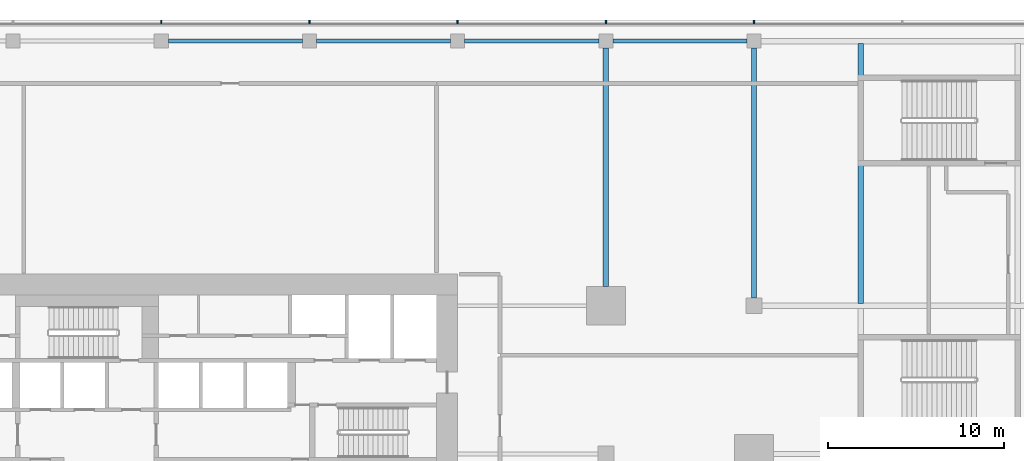
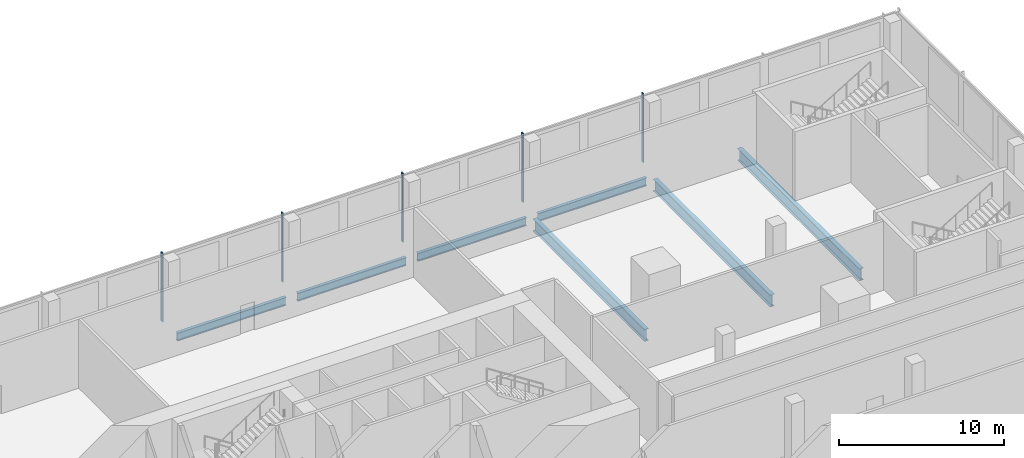
# One storey, part 20 of 39: 7 beams, 5 members, 1 element without a shape of its own.
"""IFC4 building model written with IfcOpenShell, lengths in metres."""

from ifc_helpers import new_model, si_unit, direction, frame, origin, origin_2d, place, context, subcontext, project, spatial, rectangle, i_section, extrude, material, material_profile, profile_set, type_object, element, aggregate, save


model = new_model("IFC4")

# Units and contexts
model_context = context("Model", 3, precision=1e-05, world=origin(), true_north=direction((0.0, 1.0)))
body_context = subcontext(model_context, "Body", "Model", "MODEL_VIEW")
ifc_project = project(units=[si_unit("LENGTHUNIT", "METRE"), si_unit("AREAUNIT", "SQUARE_METRE"), si_unit("VOLUMEUNIT", "CUBIC_METRE"), si_unit("PLANEANGLEUNIT", "RADIAN"), si_unit("MASSUNIT", "GRAM", prefix="KILO")], contexts=[model_context])

# Site, building, storey
site_placement = place(None, origin())
site = spatial("IfcSite", under=ifc_project, at=site_placement, CompositionType="ELEMENT")
building_placement = place(site_placement, origin())
building = spatial("IfcBuilding", under=site, at=building_placement, Name="Saffron Gate Tower", CompositionType="ELEMENT")
storey_placement = place(building_placement, frame((0.0, 0.0, 9.0)))
storey = spatial("IfcBuildingStorey", under=building, at=storey_placement, Name="L01", CompositionType="ELEMENT", Elevation=9.0)

# Beams
ifc_material_1 = material(Name="Structural steel S355", Category="steel")
ifc_material_profile_1 = material_profile(ifc_material_1, i_section(OverallWidth=0.219970703125, OverallDepth=0.60009765625, WebThickness=0.011962890625, FlangeThickness=0.01904296875, FilletRadius=0.02392578125, at=origin_2d()))
ifc_profile_set_1 = profile_set([ifc_material_profile_1], Name="Structural steel S355")
beam_type_1 = type_object("IfcBeamType", Name="B15 IPE 600", PredefinedType="BEAM", material=ifc_profile_set_1)
beam_1_placement = place(storey_placement, frame((92.199951171875, 88.800048828125, -0.60009765625), z_axis=(1.0, 0.0, 0.0), x_axis=(0.0, 1.0, 0.0)))
element("IfcBeam", 1, at=beam_1_placement, inside=storey, type_object=beam_type_1, Name="B15 PODIUM EDGE BEAM", PredefinedType="BEAM", context=body_context, shape_type="SweptSolid", body=[
    extrude(i_section(OverallWidth=0.219970703125, OverallDepth=0.60009765625, WebThickness=0.011962890625, FlangeThickness=0.01904296875, FilletRadius=0.02392578125, at=origin_2d()), origin(), (0.0, 0.0, 1.0), 7.60009765625),
])
beam_2_placement = place(storey_placement, frame((100.60009765625, 88.800048828125, -0.60009765625), z_axis=(1.0, 0.0, 0.0), x_axis=(0.0, 1.0, 0.0)))
element("IfcBeam", 2, at=beam_2_placement, inside=storey, type_object=beam_type_1, Name="B15 PODIUM EDGE BEAM", PredefinedType="BEAM", context=body_context, shape_type="SweptSolid", body=[
    extrude(i_section(OverallWidth=0.219970703125, OverallDepth=0.60009765625, WebThickness=0.011962890625, FlangeThickness=0.01904296875, FilletRadius=0.02392578125, at=origin_2d()), origin(), (0.0, 0.0, 1.0), 7.599853515625),
])
for number, where, z_axis, x_axis, name in (
    (3, (109.0, 88.800048828125, -0.60009765625), (1.0, 0.0, 0.0), (0.0, 1.0, 0.0), "B15 PODIUM EDGE BEAM"),
    (4, (117.39990234375, 88.800048828125, -0.60009765625), (1.0, 0.0, 0.0), (0.0, 1.0, 0.0), "B15 PODIUM EDGE BEAM"),
):
    element("IfcBeam", number, at=place(storey_placement, frame(where, z_axis=z_axis, x_axis=x_axis)), inside=storey, type_object=beam_type_1, Name=name, PredefinedType="BEAM", context=body_context, shape_type="SweptSolid", body=[
        extrude(i_section(OverallWidth=0.219970703125, OverallDepth=0.60009765625, WebThickness=0.011962890625, FlangeThickness=0.01904296875, FilletRadius=0.02392578125, at=origin_2d()), origin(), (0.0, 0.0, 1.0), 7.60009765625),
    ])
ifc_material_profile_2 = material_profile(ifc_material_1, i_section(OverallWidth=0.300048828125, OverallDepth=0.889892578125, WebThickness=0.01611328125, FlangeThickness=0.030029296875, FilletRadius=0.030029296875, at=origin_2d()))
ifc_profile_set_2 = profile_set([ifc_material_profile_2], Name="Structural steel S355")
beam_type_2 = type_object("IfcBeamType", Name="B19 HEA 900", PredefinedType="BEAM", material=ifc_profile_set_2)
beam_3_placement = place(storey_placement, frame((117.0, 88.39990234375, -0.7451171875), z_axis=(0.0, -1.0, 0.0), x_axis=(1.0, 0.0, 0.0)))
element("IfcBeam", 5, at=beam_3_placement, inside=storey, type_object=beam_type_2, Name="B19 PODIUM RING GIRDER", PredefinedType="BEAM", context=body_context, shape_type="SweptSolid", body=[
    extrude(i_section(OverallWidth=0.300048828125, OverallDepth=0.889892578125, WebThickness=0.01611328125, FlangeThickness=0.030029296875, FilletRadius=0.030029296875, at=origin_2d()), origin(), (0.0, 0.0, 1.0), 13.5),
])
beam_4_placement = place(storey_placement, frame((125.39990234375, 88.39990234375, -0.7451171875), z_axis=(0.0, -1.0, 0.0), x_axis=(1.0, 0.0, 0.0)))
element("IfcBeam", 6, at=beam_4_placement, inside=storey, type_object=beam_type_2, Name="B19 PODIUM RING GIRDER", PredefinedType="BEAM", context=body_context, shape_type="SweptSolid", body=[
    extrude(i_section(OverallWidth=0.300048828125, OverallDepth=0.889892578125, WebThickness=0.01611328125, FlangeThickness=0.030029296875, FilletRadius=0.030029296875, at=origin_2d()), origin(), (0.0, 0.0, 1.0), 14.14990234375),
])
ifc_material_profile_3 = material_profile(ifc_material_1, i_section(OverallWidth=0.300048828125, OverallDepth=0.89990234375, WebThickness=0.0185546875, FlangeThickness=0.034912109375, FilletRadius=0.030029296875, at=origin_2d()))
ifc_profile_set_3 = profile_set([ifc_material_profile_3], Name="Structural steel S355")
beam_type_3 = type_object("IfcBeamType", Name="B20 HEB 900", PredefinedType="BEAM", material=ifc_profile_set_3)
beam_5_placement = place(storey_placement, frame((131.449951171875, 73.93994140625, -0.75), z_axis=(0.0, 1.0, 0.0), x_axis=(-1.0, 0.0, 0.0)))
element("IfcBeam", 7, at=beam_5_placement, inside=storey, type_object=beam_type_3, Name="B20 STAIR ENCLOSURE HEADER BEAM", PredefinedType="BEAM", context=body_context, shape_type="SweptSolid", body=[
    extrude(i_section(OverallWidth=0.300048828125, OverallDepth=0.89990234375, WebThickness=0.0185546875, FlangeThickness=0.034912109375, FilletRadius=0.030029296875, at=origin_2d()), origin(), (0.0, 0.0, 1.0), 14.719970703125),
])

# Curtain wall, members
ifc_material_2 = material(Name="Aluminium, bronze anodised", Category="aluminium")
curtain_wall_type = type_object("IfcCurtainWallType", Name="CWS5 curtain wall podium ring base", PredefinedType="NOTDEFINED", material=ifc_material_2)
curtain_wall_placement = place(storey_placement, origin())
curtain_wall = element("IfcCurtainWall", 8, at=curtain_wall_placement, inside=storey, type_object=curtain_wall_type, Name="CWS5 run 3", PredefinedType="NOTDEFINED")
ifc_material_profile_4 = material_profile(ifc_material_2, rectangle(XDim=0.199951171875, YDim=0.080078125, at=origin_2d()))
ifc_profile_set_4 = profile_set([ifc_material_profile_4], Name="Aluminium, bronze anodised")
member_type = type_object("IfcMemberType", Name="CWS5 mullion 80x200", PredefinedType="MULLION", material=ifc_profile_set_4)
member_1_placement = place(storey_placement, frame((125.39990234375, 89.89990234375, 0.0), z_axis=(0.0, 0.0, 1.0), x_axis=(0.0, -1.0, 0.0)))
member_1 = element("IfcMember", 9, at=member_1_placement, type_object=member_type, Name="CWS5 mullion 4", PredefinedType="MULLION", context=body_context, shape_type="SweptSolid", body=[
    extrude(rectangle(XDim=0.199951171875, YDim=0.080078125, at=origin_2d()), origin(), (0.0, 0.0, 1.0), 5.10009765625),
])
member_2_placement = place(storey_placement, frame((117.0, 89.89990234375, 0.0), z_axis=(0.0, 0.0, 1.0), x_axis=(0.0, -1.0, 0.0)))
member_2 = element("IfcMember", 10, at=member_2_placement, type_object=member_type, Name="CWS5 mullion 5", PredefinedType="MULLION", context=body_context, shape_type="SweptSolid", body=[
    extrude(rectangle(XDim=0.199951171875, YDim=0.080078125, at=origin_2d()), origin(), (0.0, 0.0, 1.0), 5.10009765625),
])
member_3_placement = place(storey_placement, frame((108.60009765625, 89.89990234375, 0.0), z_axis=(0.0, 0.0, 1.0), x_axis=(0.0, -1.0, 0.0)))
member_3 = element("IfcMember", 11, at=member_3_placement, type_object=member_type, Name="CWS5 mullion 6", PredefinedType="MULLION", context=body_context, shape_type="SweptSolid", body=[
    extrude(rectangle(XDim=0.199951171875, YDim=0.080078125, at=origin_2d()), origin(), (0.0, 0.0, 1.0), 5.10009765625),
])
member_4_placement = place(storey_placement, frame((100.199951171875, 89.89990234375, 0.0), z_axis=(0.0, 0.0, 1.0), x_axis=(0.0, -1.0, 0.0)))
member_4 = element("IfcMember", 12, at=member_4_placement, type_object=member_type, Name="CWS5 mullion 7", PredefinedType="MULLION", context=body_context, shape_type="SweptSolid", body=[
    extrude(rectangle(XDim=0.199951171875, YDim=0.080078125, at=origin_2d()), origin(), (0.0, 0.0, 1.0), 5.10009765625),
])
member_5_placement = place(storey_placement, frame((91.800048828125, 89.89990234375, 0.0), z_axis=(0.0, 0.0, 1.0), x_axis=(0.0, -1.0, 0.0)))
member_5 = element("IfcMember", 13, at=member_5_placement, type_object=member_type, Name="CWS5 mullion 8", PredefinedType="MULLION", context=body_context, shape_type="SweptSolid", body=[
    extrude(rectangle(XDim=0.199951171875, YDim=0.080078125, at=origin_2d()), origin(), (0.0, 0.0, 1.0), 5.10009765625),
])
aggregate(curtain_wall, [member_1, member_2, member_3, member_4, member_5])

save(model, "model.ifc")
